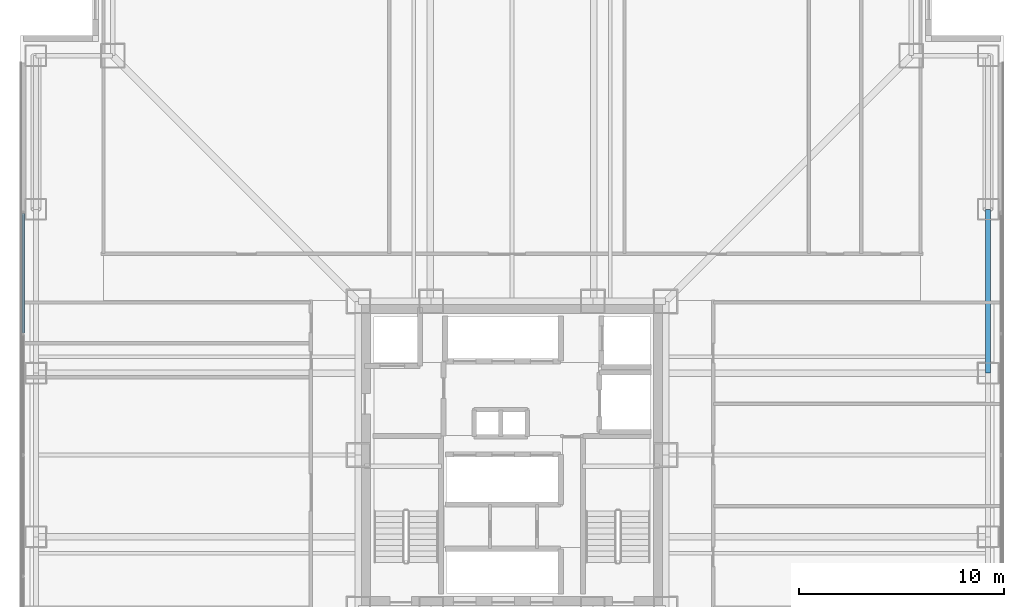
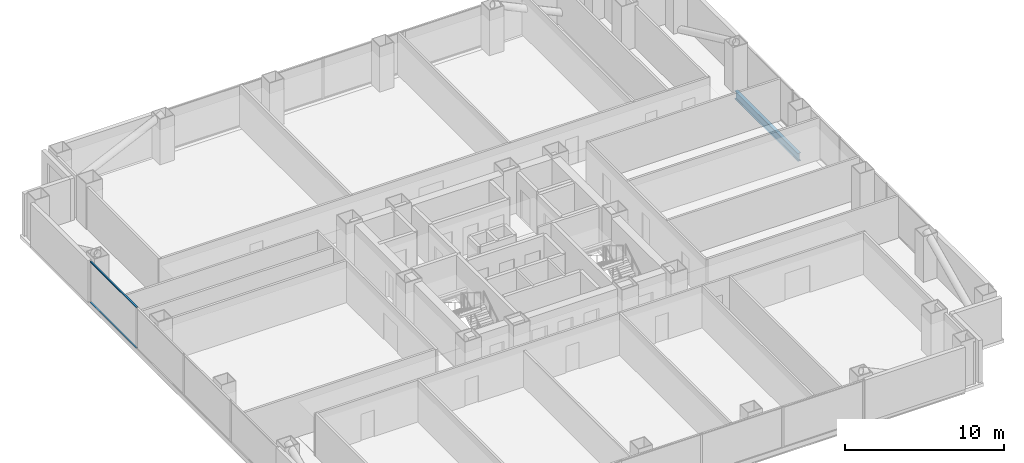
# One storey, part 7 of 15: 2 members, 1 beam, 1 element without a shape of its own.
"""IFC4 building model written with IfcOpenShell, lengths in metres."""

import ifcopenshell
import ifcopenshell.guid

model = None  # the IFC model being written
_history = None  # IfcOwnerHistory: only IFC2X3 demands one
_inside = {}  # id of a spatial element -> (the spatial element, [elements in it])
_under = {}  # id of a project, library or spatial element -> (it, [spatial elements below it])
_declared = {}  # id of a project -> (the project, [libraries it declares])
_typed = {}  # id of a type object -> (the type object, [elements of that type])
_made_of = {}  # id of a material, layer set ... -> (it, [elements and type objects made of it])


def new_model(schema):
    """Start an empty IFC model of exactly this schema.

    Asked for "IFC4X3", IfcOpenShell would pick the latest addendum, in which some entities
    have other attributes; the version numbers below select the first issue.
    IFC2X3 requires an IfcOwnerHistory on every rooted entity: one is made here for all.
    """
    global model, _history
    if schema == "IFC4X3":
        model = ifcopenshell.file(schema_version=(4, 3, 0, 0))
    else:
        model = ifcopenshell.file(schema=schema)
    _inside.clear()
    _under.clear()
    _declared.clear()
    _typed.clear()
    _made_of.clear()
    _history = None
    if model.schema == "IFC2X3":
        org = make("IfcOrganization", Name="unknown")
        user = make(
            "IfcPersonAndOrganization",
            ThePerson=make("IfcPerson", FamilyName="unknown"),
            TheOrganization=org,
        )
        app = make(
            "IfcApplication",
            ApplicationDeveloper=org,
            Version="unknown",
            ApplicationFullName="unknown",
            ApplicationIdentifier="unknown",
        )
        _history = make(
            "IfcOwnerHistory",
            OwningUser=user,
            OwningApplication=app,
            ChangeAction="ADDED",
            CreationDate=0,
        )
    return model


def make(cls, **values):
    """One entity of the class cls with the attributes given. An attribute that is None is left unset."""
    return model.create_entity(
        cls, **{name: value for name, value in values.items() if value is not None}
    )


def rooted(cls, **values):
    """An entity with a GlobalId (a new one), such as an element, a storey or a relation."""
    return make(cls, GlobalId=ifcopenshell.guid.new(), OwnerHistory=_history, **values)


def si_unit(unit_type, name, prefix=None):
    """IfcSIUnit, for example si_unit("LENGTHUNIT", "METRE", prefix="MILLI")."""
    return make("IfcSIUnit", UnitType=unit_type, Prefix=prefix, Name=name)


def assignment(units):
    """IfcUnitAssignment: the units of a project."""
    return None if units is None else make("IfcUnitAssignment", Units=units)


def point(xyz):
    """IfcCartesianPoint."""
    return None if xyz is None else make("IfcCartesianPoint", Coordinates=xyz)


def direction(xyz):
    """IfcDirection."""
    return None if xyz is None else make("IfcDirection", DirectionRatios=xyz)


def frame(location, z_axis=None, x_axis=None):
    """IfcAxis2Placement3D, a coordinate frame: its origin and axes. An axis left out is left unset."""
    return make(
        "IfcAxis2Placement3D",
        Location=point(location),
        Axis=direction(z_axis),
        RefDirection=direction(x_axis),
    )


def frame_2d(location, x_axis=None):
    """IfcAxis2Placement2D, a coordinate frame in the plane: its origin and x axis."""
    return make(
        "IfcAxis2Placement2D", Location=point(location), RefDirection=direction(x_axis)
    )


def origin():
    """The frame at (0, 0, 0) with its axes left unset."""
    return frame((0.0, 0.0, 0.0))


def origin_2d():
    """The frame at (0, 0) in the plane with its x axis left unset."""
    return frame_2d((0.0, 0.0))


def place(relative_to, where):
    """IfcLocalPlacement: puts the frame where relative to a parent placement (None: the world)."""
    return make(
        "IfcLocalPlacement", PlacementRelTo=relative_to, RelativePlacement=where
    )


def context(
    kind, dimensions, precision=None, world=None, true_north=None, identifier=None
):
    """IfcGeometricRepresentationContext, for example the 3D "Model" context."""
    return make(
        "IfcGeometricRepresentationContext",
        ContextIdentifier=identifier,
        ContextType=kind,
        CoordinateSpaceDimension=dimensions,
        Precision=precision,
        WorldCoordinateSystem=world,
        TrueNorth=true_north,
    )


def subcontext(parent, identifier, kind, view, scale=None):
    """IfcGeometricRepresentationSubContext, for example "Body" below "Model"."""
    return make(
        "IfcGeometricRepresentationSubContext",
        ContextIdentifier=identifier,
        ContextType=kind,
        ParentContext=parent,
        TargetScale=scale,
        TargetView=view,
    )


def project(units=None, contexts=None):
    """IfcProject with its units and contexts."""
    return rooted(
        "IfcProject",
        Name="project",
        RepresentationContexts=contexts,
        UnitsInContext=assignment(units),
    )


def spatial(cls, under=None, at=None, **own):
    """A site, building, storey or space (cls), placed at a placement, below another one or the project."""
    s = rooted(cls, ObjectPlacement=at, **own)
    if under is not None:
        _under.setdefault(under.id(), (under, []))[1].append(s)
    return s


def profile(cls, at=None, kind="AREA", **sizes):
    """A parametric profile (cls). Its sizes go by their IFC names, for example OverallWidth=200.0."""
    return make(cls, ProfileType=kind, Position=at, **sizes)


def rectangle(**sizes):
    """IfcRectangleProfileDef."""
    return profile("IfcRectangleProfileDef", **sizes)


def i_section(**sizes):
    """IfcIShapeProfileDef."""
    return profile("IfcIShapeProfileDef", **sizes)


def extrude(swept, where, along, depth):
    """IfcExtrudedAreaSolid: the profile swept, set in the frame where, extruded along a direction by depth."""
    return make(
        "IfcExtrudedAreaSolid",
        SweptArea=swept,
        Position=where,
        ExtrudedDirection=direction(along),
        Depth=depth,
    )


def shape(context_of_items, identifier, shape_type, items):
    """IfcShapeRepresentation: the items that make up one representation, for example the "Body"."""
    return make(
        "IfcShapeRepresentation",
        ContextOfItems=context_of_items,
        RepresentationIdentifier=identifier,
        RepresentationType=shape_type,
        Items=items,
    )


def material(Name=None, Category=None):
    """IfcMaterial."""
    return make("IfcMaterial", Name=Name, Category=Category)


def layer(
    of_material, thickness, ventilated=None, Name=None, Category=None, Priority=None
):
    """IfcMaterialLayer: one layer of a wall or slab, of a material (None: an air gap)."""
    return make(
        "IfcMaterialLayer",
        Material=of_material,
        LayerThickness=thickness,
        IsVentilated=ventilated,
        Name=Name,
        Category=Category,
        Priority=Priority,
    )


def layer_set(layers, Name=None):
    """IfcMaterialLayerSet."""
    return make("IfcMaterialLayerSet", MaterialLayers=layers, LayerSetName=Name)


def material_profile(
    of_material, cross_section, Name=None, Category=None, Priority=None
):
    """IfcMaterialProfile: a cross section and its material."""
    return make(
        "IfcMaterialProfile",
        Name=Name,
        Material=of_material,
        Profile=cross_section,
        Priority=Priority,
        Category=Category,
    )


def profile_set(profiles, Name=None, composite=None):
    """IfcMaterialProfileSet."""
    return make(
        "IfcMaterialProfileSet",
        Name=Name,
        MaterialProfiles=profiles,
        CompositeProfile=composite,
    )


def made_of(thing, what):
    """Note that an element or type object is made of a material, layer set ...; save() writes the relation."""
    if what is not None:
        _made_of.setdefault(what.id(), (what, []))[1].append(thing)
    return thing


def type_object(cls, material=None, **own):
    """A type object (cls), such as IfcWallType, which elements share."""
    return made_of(rooted(cls, **own), material)


def element(
    cls,
    number,
    at=None,
    inside=None,
    cuts=None,
    type_object=None,
    material=None,
    context=None,
    identifier="Body",
    shape_type=None,
    held_by="IfcProductDefinitionShape",
    body=None,
    shapes=None,
    **own,
):
    """One element of the class cls, such as IfcWall. Its Tag is "e" and its number.

    at: its placement. inside: the storey or other place that contains it. cuts: it is an
    opening in that element (IfcRelVoidsElement). A single representation is given by context,
    identifier, shape_type and body (its items); several are given by shapes. held_by: the class
    of the entity that holds the representations. save() writes the other relations.
    """
    e = rooted(cls, Tag="e%d" % number, ObjectPlacement=at, **own)
    if body is not None:
        shapes = [shape(context, identifier, shape_type, body)]
    if shapes is not None:
        e.Representation = make(held_by, Representations=shapes)
    if inside is not None:
        _inside.setdefault(inside.id(), (inside, []))[1].append(e)
    if cuts is not None:
        rooted(
            "IfcRelVoidsElement", RelatingBuildingElement=cuts, RelatedOpeningElement=e
        )
    if type_object is not None:
        _typed.setdefault(type_object.id(), (type_object, []))[1].append(e)
    return made_of(e, material)


def aggregate(whole, parts):
    """IfcRelAggregates: a whole, such as a stair, and the parts it consists of."""
    return rooted("IfcRelAggregates", RelatingObject=whole, RelatedObjects=parts)


def save(model, path):
    """Write the relations noted so far, then the file.

    IfcRelAggregates (storeys below a building ...), IfcRelContainedInSpatialStructure (elements
    in a storey), IfcRelDefinesByType, IfcRelAssociatesMaterial and IfcRelDeclares: one each for
    every whole, place, type object, material and project.
    """
    for whole, parts in _under.values():
        aggregate(whole, parts)
    for where, things in _inside.values():
        rooted(
            "IfcRelContainedInSpatialStructure",
            RelatedElements=things,
            RelatingStructure=where,
        )
    for kind, things in _typed.values():
        rooted("IfcRelDefinesByType", RelatedObjects=things, RelatingType=kind)
    for what, things in _made_of.values():
        rooted("IfcRelAssociatesMaterial", RelatedObjects=things, RelatingMaterial=what)
    for by, libraries in _declared.values():
        rooted("IfcRelDeclares", RelatingContext=by, RelatedDefinitions=libraries)
    model.write(path)


model = new_model("IFC4")

# Units and contexts
model_context = context("Model", 3, precision=1e-05, world=origin(), true_north=direction((0.0, 1.0)))
body_context = subcontext(model_context, "Body", "Model", "MODEL_VIEW")
ifc_project = project(units=[si_unit("LENGTHUNIT", "METRE"), si_unit("AREAUNIT", "SQUARE_METRE"), si_unit("VOLUMEUNIT", "CUBIC_METRE"), si_unit("PLANEANGLEUNIT", "RADIAN"), si_unit("MASSUNIT", "GRAM", prefix="KILO")], contexts=[model_context])

# Site, building, storey
site_placement = place(None, origin())
site = spatial("IfcSite", under=ifc_project, at=site_placement, CompositionType="ELEMENT")
building_placement = place(site_placement, origin())
building = spatial("IfcBuilding", under=site, at=building_placement, Name="Trevonay Congress Spire", CompositionType="ELEMENT")
storey_placement = place(building_placement, frame((0.0, 0.0, 44.5)))
storey = spatial("IfcBuildingStorey", under=building, at=storey_placement, Name="L10", CompositionType="ELEMENT", Elevation=44.5)

# Beam
ifc_material_1 = material(Name="Steel ASTM A572 Grade 50", Category="steel")
ifc_material_profile_1 = material_profile(ifc_material_1, i_section(OverallWidth=0.22998046875, OverallDepth=0.616943359375, WebThickness=0.01318359375, FlangeThickness=0.022216796875, FilletRadius=0.01611328125, at=origin_2d()), Name="W610x140")
ifc_profile_set_1 = profile_set([ifc_material_profile_1], Name="Steel ASTM A572 Grade 50")
beam_type = type_object("IfcBeamType", Name="BM-RING-W610X140", PredefinedType="BEAM", material=ifc_profile_set_1)
beam_placement = place(storey_placement, frame((23.25, 4.0, -0.55859375), z_axis=(0.0, 1.0, 0.0), x_axis=(-1.0, 0.0, 0.0)))
element("IfcBeam", 1, at=beam_placement, inside=storey, type_object=beam_type, Name="L10 structural beam BM-L10-PE4", PredefinedType="BEAM", context=body_context, shape_type="SweptSolid", body=[
    extrude(i_section(OverallWidth=0.22998046875, OverallDepth=0.616943359375, WebThickness=0.01318359375, FlangeThickness=0.022216796875, FilletRadius=0.01611328125, at=origin_2d()), origin(), (0.0, 0.0, 1.0), 8.0),
])

# Curtain wall, members
ifc_material_2 = material(Name="Pale Anodised Aluminium EN AW-6063-T6", Category="aluminium")
ifc_layer = layer(ifc_material_2, 0.179931640625, Name="Pale Anodised Aluminium EN AW-6063-T6")
ifc_layer_set = layer_set([ifc_layer], Name="Pale Anodised Aluminium EN AW-6063-T6")
curtain_wall_type = type_object("IfcCurtainWallType", Name="CW-SYS02-HOTEL-PALE-METAL", PredefinedType="NOTDEFINED", material=ifc_layer_set)
curtain_wall_placement = place(storey_placement, origin())
curtain_wall = element("IfcCurtainWall", 2, at=curtain_wall_placement, inside=storey, type_object=curtain_wall_type, Name="L10 W unitised curtain wall", PredefinedType="NOTDEFINED")
ifc_material_profile_2 = material_profile(ifc_material_2, rectangle(XDim=0.1201171875, YDim=0.06005859375, at=origin_2d()), Name="CW-TRANSOM-120-ALUMINIUM")
ifc_profile_set_2 = profile_set([ifc_material_profile_2], Name="Pale Anodised Aluminium EN AW-6063-T6")
member_type = type_object("IfcMemberType", Name="CW-TRANSOM-120-ALUMINIUM", PredefinedType="USERDEFINED", material=ifc_profile_set_2)
member_1_placement = place(storey_placement, frame((-23.8798828125, 5.955078125, 0.06005859375), z_axis=(0.0, 1.0, 0.0), x_axis=(-1.0, 0.0, 0.0)))
member_1 = element("IfcMember", 3, at=member_1_placement, type_object=member_type, Name="CW02 transom 4.1", ObjectType="TRANSOM", PredefinedType="USERDEFINED", context=body_context, shape_type="SweptSolid", body=[
    extrude(rectangle(XDim=0.1201171875, YDim=0.06005859375, at=origin_2d()), origin(), (0.0, 0.0, 1.0), 5.8349609375),
])
member_2_placement = place(storey_placement, frame((-23.8798828125, 5.955078125, 3.18994140625), z_axis=(0.0, 1.0, 0.0), x_axis=(-1.0, 0.0, 0.0)))
member_2 = element("IfcMember", 4, at=member_2_placement, type_object=member_type, Name="CW02 transom 4.2", ObjectType="TRANSOM", PredefinedType="USERDEFINED", context=body_context, shape_type="SweptSolid", body=[
    extrude(rectangle(XDim=0.1201171875, YDim=0.06005859375, at=origin_2d()), origin(), (0.0, 0.0, 1.0), 5.8349609375),
])
aggregate(curtain_wall, [member_1, member_2])

save(model, "model.ifc")
